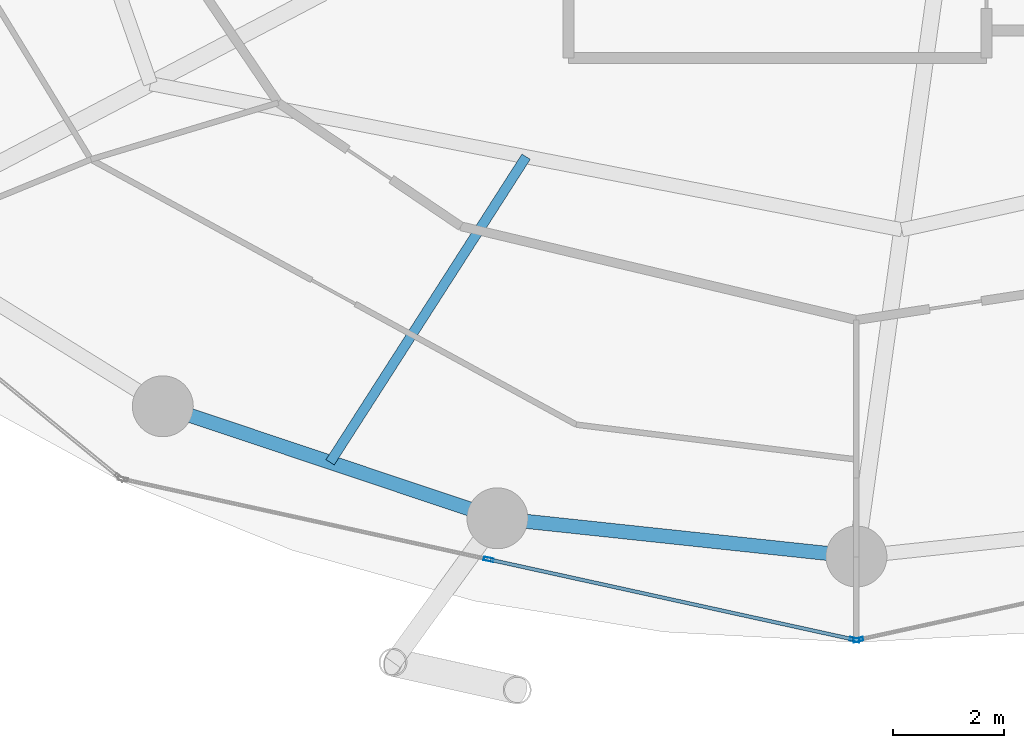
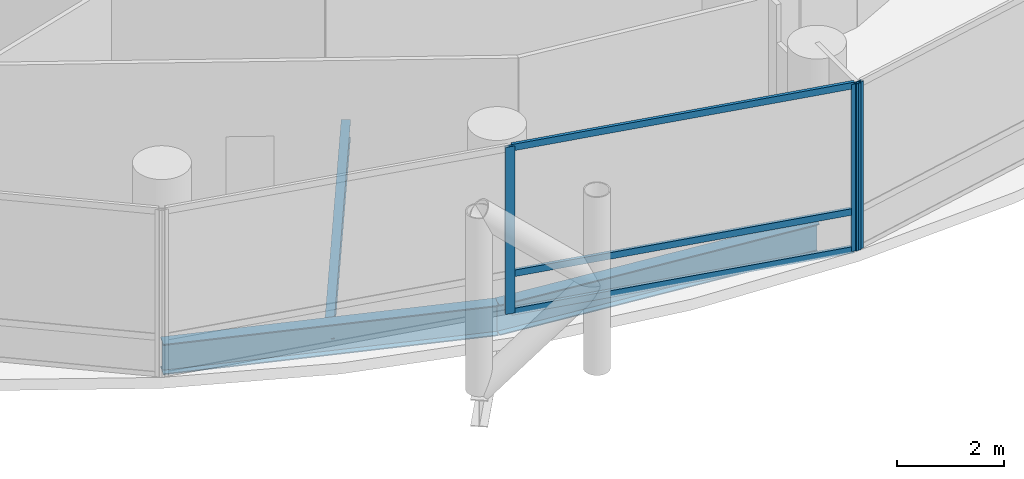
# One storey, part 4 of 25: 6 members, 3 beams, 2 elements without a shape of their own.
"""IFC4 building model written with IfcOpenShell, lengths in metres."""

from ifc_helpers import new_model, si_unit, direction, frame, origin, origin_2d, place, context, subcontext, project, spatial, hollow_rectangle, i_section, extrude, material, layer, layer_set, material_profile, profile_set, type_object, element, aggregate, save


model = new_model("IFC4")

# Units and contexts
model_context = context("Model", 3, precision=1e-05, world=origin(), true_north=direction((0.0, 1.0)))
body_context = subcontext(model_context, "Body", "Model", "MODEL_VIEW")
ifc_project = project(units=[si_unit("LENGTHUNIT", "METRE"), si_unit("AREAUNIT", "SQUARE_METRE"), si_unit("VOLUMEUNIT", "CUBIC_METRE"), si_unit("PLANEANGLEUNIT", "RADIAN"), si_unit("MASSUNIT", "GRAM", prefix="KILO")], contexts=[model_context])

# Site, building, storey
site_placement = place(None, origin())
site = spatial("IfcSite", under=ifc_project, at=site_placement, CompositionType="ELEMENT")
building_placement = place(site_placement, origin())
building = spatial("IfcBuilding", under=site, at=building_placement, Name="Nuhasar Tower", CompositionType="ELEMENT")
storey_placement = place(building_placement, frame((0.0, 0.0, 57.449951171875)))
storey = spatial("IfcBuildingStorey", under=building, at=storey_placement, Name="L13", CompositionType="ELEMENT", Elevation=57.449951171875)

# Beams
ifc_material_1 = material(Name="Steel S355", Category="steel")
ifc_material_profile_1 = material_profile(ifc_material_1, i_section(OverallWidth=0.177978515625, OverallDepth=0.406005859375, WebThickness=0.0078125, FlangeThickness=0.0126953125, at=origin_2d()), Name="W16X40")
ifc_profile_set_1 = profile_set([ifc_material_profile_1], Name="Steel S355")
beam_type_1 = type_object("IfcBeamType", Name="BM-JST-W16X40", PredefinedType="JOIST", material=ifc_profile_set_1)
beam_1_placement = place(storey_placement, frame((33.035888671875, 13.77001953125, -0.452880859375), z_axis=(-0.539944240715, -0.841700788237, 0.0), x_axis=(0.841700788237, -0.539944240715, 0.0)))
element("IfcBeam", 1, at=beam_1_placement, inside=storey, type_object=beam_type_1, Name="L13 Secondary Floor Joist 01", PredefinedType="JOIST", context=body_context, shape_type="SweptSolid", body=[
    extrude(i_section(OverallWidth=0.177978515625, OverallDepth=0.406005859375, WebThickness=0.0078125, FlangeThickness=0.0126953125, at=origin_2d()), origin(), (0.0, 0.0, 1.0), 6.555908203125),
])
ifc_material_profile_2 = material_profile(ifc_material_1, i_section(OverallWidth=0.256103515625, OverallDepth=0.693115234375, WebThickness=0.014404296875, FlangeThickness=0.023681640625, at=origin_2d()), Name="W27X114")
ifc_profile_set_2 = profile_set([ifc_material_profile_2], Name="Steel S355")
beam_type_2 = type_object("IfcBeamType", Name="BM-RING-W27X114", PredefinedType="SPANDREL", material=ifc_profile_set_2)
beam_2_placement = place(storey_placement, frame((26.47509765625, 9.262939453125, -0.595947265625), z_axis=(0.94826097201, -0.317491935271, 0.0), x_axis=(0.317491935271, 0.94826097201, 0.0)))
element("IfcBeam", 2, at=beam_2_placement, inside=storey, type_object=beam_type_2, Name="L13 Perimeter Ring Spandrel 17", PredefinedType="SPANDREL", context=body_context, shape_type="SweptSolid", body=[
    extrude(i_section(OverallWidth=0.256103515625, OverallDepth=0.693115234375, WebThickness=0.014404296875, FlangeThickness=0.023681640625, at=origin_2d()), origin(), (0.0, 0.0, 1.0), 6.37158203125),
])
beam_3_placement = place(storey_placement, frame((32.51708984375, 7.239990234375, -0.595947265625), z_axis=(0.994384554061, -0.105827022286, 0.0), x_axis=(0.105827022286, 0.994384554061, 0.0)))
element("IfcBeam", 3, at=beam_3_placement, inside=storey, type_object=beam_type_2, Name="L13 Perimeter Ring Spandrel 18", PredefinedType="SPANDREL", context=body_context, shape_type="SweptSolid", body=[
    extrude(i_section(OverallWidth=0.256103515625, OverallDepth=0.693115234375, WebThickness=0.014404296875, FlangeThickness=0.023681640625, at=origin_2d()), origin(), (0.0, 0.0, 1.0), 6.51953125),
])

# Curtain wall, members
ifc_material_2 = material(Name="Aluminium 6063-T6", Category="aluminium")
ifc_layer = layer(ifc_material_2, 0.199951171875)
ifc_layer_set = layer_set([ifc_layer], Name="Aluminium 6063-T6")
curtain_wall_type = type_object("IfcCurtainWallType", Name="CW-Z1-OFF", PredefinedType="NOTDEFINED", material=ifc_layer_set)
curtain_wall_1_placement = place(storey_placement, origin())
curtain_wall_1 = element("IfcCurtainWall", 4, at=curtain_wall_1_placement, inside=storey, type_object=curtain_wall_type, Name="L13 Unitised Curtain Wall 09", PredefinedType="NOTDEFINED")
ifc_material_profile_3 = material_profile(ifc_material_2, hollow_rectangle(XDim=0.06494140625, YDim=0.179931640625, WallThickness=0.0048828125, at=origin_2d()), Name="CWM-2")
ifc_profile_set_3 = profile_set([ifc_material_profile_3], Name="Aluminium 6063-T6")
member_type_1 = type_object("IfcMemberType", Name="CW-MUL-S2", PredefinedType="MULLION", material=ifc_profile_set_3)
member_1_placement = place(storey_placement, frame((32.360107421875, 6.49755859375, 0.0), z_axis=(0.0, 0.0, 1.0), x_axis=(0.214398737637, 0.976746221544, 0.0)))
member_1 = element("IfcMember", 5, at=member_1_placement, type_object=member_type_1, Name="CW-Z1 mullion 2", PredefinedType="MULLION", context=body_context, shape_type="SweptSolid", body=[
    extrude(hollow_rectangle(XDim=0.06494140625, YDim=0.179931640625, WallThickness=0.0048828125, at=origin_2d()), origin(), (0.0, 0.0, 1.0), 3.800048828125),
])
member_2_placement = place(storey_placement, frame((38.96826171875, 5.046875, 0.0), z_axis=(0.0, 0.0, 1.0), x_axis=(0.214398737637, 0.976746221544, 0.0)))
member_2 = element("IfcMember", 6, at=member_2_placement, type_object=member_type_1, Name="CW-Z1 mullion 3", PredefinedType="MULLION", context=body_context, shape_type="SweptSolid", body=[
    extrude(hollow_rectangle(XDim=0.06494140625, YDim=0.179931640625, WallThickness=0.0048828125, at=origin_2d()), origin(), (0.0, 0.0, 1.0), 3.800048828125),
])

# Curtain wall, member
curtain_wall_2_placement = place(storey_placement, origin())
curtain_wall_2 = element("IfcCurtainWall", 7, at=curtain_wall_2_placement, inside=storey, type_object=curtain_wall_type, Name="L13 Unitised Curtain Wall 10", PredefinedType="NOTDEFINED")
member_3_placement = place(storey_placement, frame((39.03173828125, 5.046875, 0.0), z_axis=(0.0, 0.0, 1.0), x_axis=(-0.214398737637, 0.976746221544, 0.0)))
member_3 = element("IfcMember", 8, at=member_3_placement, type_object=member_type_1, Name="CW-Z1 mullion 1", PredefinedType="MULLION", context=body_context, shape_type="SweptSolid", body=[
    extrude(hollow_rectangle(XDim=0.06494140625, YDim=0.179931640625, WallThickness=0.0048828125, at=origin_2d()), origin(), (0.0, 0.0, 1.0), 3.800048828125),
])
aggregate(curtain_wall_2, [member_3])

# Member
ifc_material_profile_4 = material_profile(ifc_material_2, hollow_rectangle(XDim=0.06494140625, YDim=0.14990234375, WallThickness=0.00439453125, at=origin_2d()), Name="CWT-2")
ifc_profile_set_4 = profile_set([ifc_material_profile_4], Name="Aluminium 6063-T6")
member_type_2 = type_object("IfcMemberType", Name="CW-TRN-S2", PredefinedType="USERDEFINED", material=ifc_profile_set_4)
member_4_placement = place(storey_placement, frame((32.391845703125, 6.490478515625, 0.032470703125), z_axis=(0.976747879138, -0.214391185916, 0.0), x_axis=(0.214391185916, 0.976747879138, 0.0)))
member_4 = element("IfcMember", 9, at=member_4_placement, type_object=member_type_2, Name="CW-Z1 transom 2.1", ObjectType="TRANSOM", PredefinedType="USERDEFINED", context=body_context, shape_type="SweptSolid", body=[
    extrude(hollow_rectangle(XDim=0.06494140625, YDim=0.14990234375, WallThickness=0.00439453125, at=origin_2d()), origin(), (0.0, 0.0, 1.0), 6.700439453125),
])

member_5_placement = place(storey_placement, frame((32.391845703125, 6.490478515625, 0.900146484375), z_axis=(0.976747879138, -0.214391185916, 0.0), x_axis=(0.214391185916, 0.976747879138, 0.0)))
member_5 = element("IfcMember", 10, at=member_5_placement, type_object=member_type_2, Name="CW-Z1 transom 2.2", ObjectType="TRANSOM", PredefinedType="USERDEFINED", context=body_context, shape_type="SweptSolid", body=[
    extrude(hollow_rectangle(XDim=0.06494140625, YDim=0.14990234375, WallThickness=0.00439453125, at=origin_2d()), origin(), (0.0, 0.0, 1.0), 6.700439453125),
])

member_6_placement = place(storey_placement, frame((32.391845703125, 6.490478515625, 3.767578125), z_axis=(0.976747879138, -0.214391185916, 0.0), x_axis=(0.214391185916, 0.976747879138, 0.0)))
member_6 = element("IfcMember", 11, at=member_6_placement, type_object=member_type_2, Name="CW-Z1 transom 2.3", ObjectType="TRANSOM", PredefinedType="USERDEFINED", context=body_context, shape_type="SweptSolid", body=[
    extrude(hollow_rectangle(XDim=0.06494140625, YDim=0.14990234375, WallThickness=0.00439453125, at=origin_2d()), origin(), (0.0, 0.0, 1.0), 6.700439453125),
])

aggregate(curtain_wall_1, [member_1, member_2, member_4, member_5, member_6])

save(model, "model.ifc")
